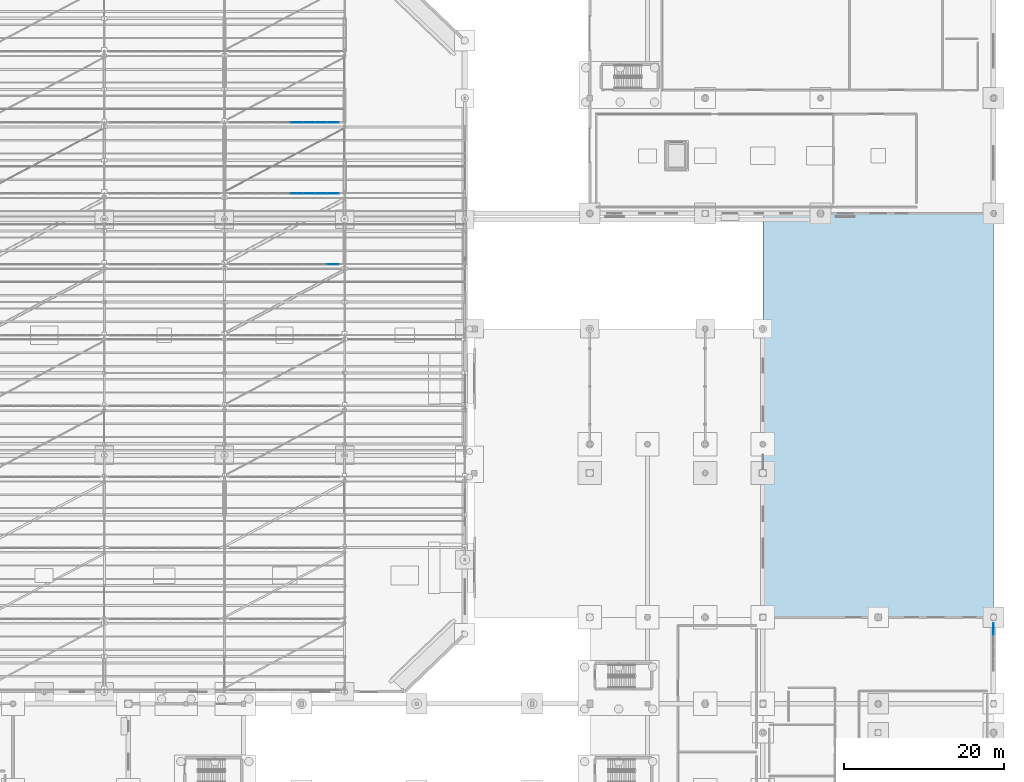
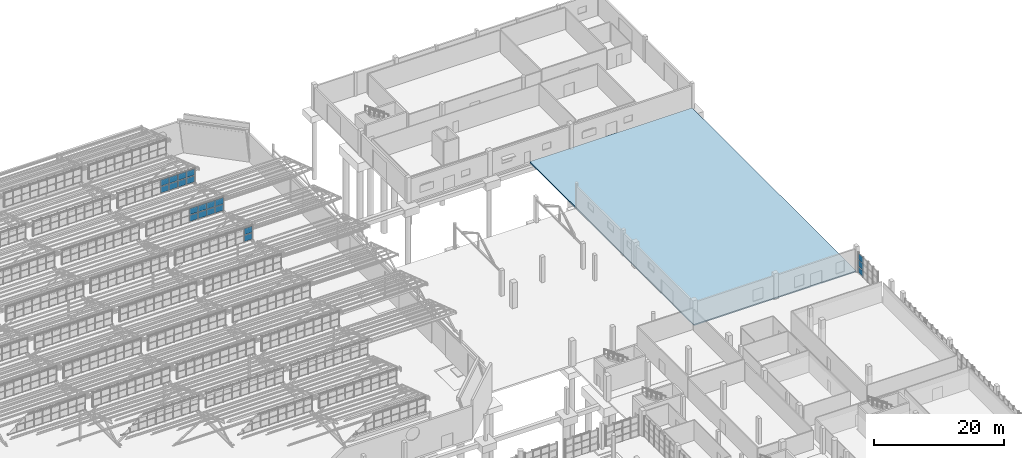
# One storey, part 186 of 285: 21 plates, 1 slab, 4 elements without a shape of their own.
"""IFC4 building model written with IfcOpenShell, lengths in metres."""

from ifc_helpers import new_model, si_unit, direction, frame, origin, origin_2d, place, context, subcontext, project, spatial, polyline, rectangle, outline, extrude, material, layer, layer_set, type_object, element, aggregate, save


model = new_model("IFC4")

# Units and contexts
model_context = context("Model", 3, precision=1e-05, world=origin(), true_north=direction((0.0, 1.0)))
body_context = subcontext(model_context, "Body", "Model", "MODEL_VIEW")
ifc_project = project(units=[si_unit("LENGTHUNIT", "METRE"), si_unit("AREAUNIT", "SQUARE_METRE"), si_unit("VOLUMEUNIT", "CUBIC_METRE"), si_unit("PLANEANGLEUNIT", "RADIAN"), si_unit("MASSUNIT", "GRAM", prefix="KILO")], contexts=[model_context])

# Site, building, storey
site_placement = place(None, origin())
site = spatial("IfcSite", under=ifc_project, at=site_placement, CompositionType="ELEMENT")
building_placement = place(site_placement, origin())
building = spatial("IfcBuilding", under=site, at=building_placement, Name="Solanera Park Tramway Depot", CompositionType="ELEMENT")
storey_placement = place(building_placement, origin())
storey = spatial("IfcBuildingStorey", under=building, at=storey_placement, Name="L00", CompositionType="ELEMENT", Elevation=0.0)

# Curtain wall, plates
ifc_material_1 = material(Name="Bronze-anodised thermally broken aluminium curtain wall", Category="aluminium")
curtain_wall_type_1 = type_object("IfcCurtainWallType", Name="Sawtooth Clerestory Monitor Curtain Wall", PredefinedType="NOTDEFINED", material=ifc_material_1)
curtain_wall_1_placement = place(storey_placement, origin())
curtain_wall_1 = element("IfcCurtainWall", 1, at=curtain_wall_1_placement, inside=storey, type_object=curtain_wall_type_1, Name="L00 Sawtooth Clerestory Monitor Curtain Wall #051", PredefinedType="NOTDEFINED")
ifc_material_2 = material(Name="Low-E laminated solar-control double glazing", Category="glass")
ifc_layer_1 = layer(ifc_material_2, 0.028076171875)
ifc_layer_set_1 = layer_set([ifc_layer_1], Name="Low-E laminated solar-control double glazing")
plate_type = type_object("IfcPlateType", Name="Curtain Wall Double Glazing Panel 28", PredefinedType="CURTAIN_PANEL", material=ifc_layer_set_1)
plate_1_placement = place(storey_placement, frame((133.572509765625, 108.85009765625, 7.862060546875), z_axis=(0.0, 0.0, 1.0), x_axis=(1.0, 0.0, 0.0)))
plate_1 = element("IfcPlate", 2, at=plate_1_placement, type_object=plate_type, Name="CW-L00-051 Glazing Panel R1.C9", PredefinedType="CURTAIN_PANEL", context=body_context, shape_type="SweptSolid", body=[
    extrude(rectangle(XDim=1.437744140625, YDim=0.028076171875, at=origin_2d()), origin(), (0.0, 0.0, 1.0), 1.16650390625),
])
plate_2_placement = place(storey_placement, frame((133.572509765625, 108.85009765625, 9.132568359375), z_axis=(0.0, 0.0, 1.0), x_axis=(1.0, 0.0, 0.0)))
plate_2 = element("IfcPlate", 3, at=plate_2_placement, type_object=plate_type, Name="CW-L00-051 Glazing Panel R2.C9", PredefinedType="CURTAIN_PANEL", context=body_context, shape_type="SweptSolid", body=[
    extrude(rectangle(XDim=1.437744140625, YDim=0.028076171875, at=origin_2d()), origin(), (0.0, 0.0, 1.0), 1.16650390625),
])
aggregate(curtain_wall_1, [plate_1, plate_2])

curtain_wall_2_placement = place(storey_placement, origin())
curtain_wall_2 = element("IfcCurtainWall", 4, at=curtain_wall_2_placement, inside=storey, type_object=curtain_wall_type_1, Name="L00 Sawtooth Clerestory Monitor Curtain Wall #059", PredefinedType="NOTDEFINED")
plate_3_placement = place(storey_placement, frame((129.022216796875, 117.699951171875, 7.862060546875), z_axis=(0.0, 0.0, 1.0), x_axis=(1.0, 0.0, 0.0)))
plate_3 = element("IfcPlate", 5, at=plate_3_placement, type_object=plate_type, Name="CW-L00-059 Glazing Panel R1.C6", PredefinedType="CURTAIN_PANEL", context=body_context, shape_type="SweptSolid", body=[
    extrude(rectangle(XDim=1.47021484375, YDim=0.028076171875, at=origin_2d()), origin(), (0.0, 0.0, 1.0), 1.16650390625),
])
plate_4_placement = place(storey_placement, frame((130.54443359375, 117.699951171875, 7.862060546875), z_axis=(0.0, 0.0, 1.0), x_axis=(1.0, 0.0, 0.0)))
plate_4 = element("IfcPlate", 6, at=plate_4_placement, type_object=plate_type, Name="CW-L00-059 Glazing Panel R1.C7", PredefinedType="CURTAIN_PANEL", context=body_context, shape_type="SweptSolid", body=[
    extrude(rectangle(XDim=1.47021484375, YDim=0.028076171875, at=origin_2d()), origin(), (0.0, 0.0, 1.0), 1.16650390625),
])
plate_5_placement = place(storey_placement, frame((132.066650390625, 117.699951171875, 7.862060546875), z_axis=(0.0, 0.0, 1.0), x_axis=(1.0, 0.0, 0.0)))
plate_5 = element("IfcPlate", 7, at=plate_5_placement, type_object=plate_type, Name="CW-L00-059 Glazing Panel R1.C8", PredefinedType="CURTAIN_PANEL", context=body_context, shape_type="SweptSolid", body=[
    extrude(rectangle(XDim=1.47021484375, YDim=0.028076171875, at=origin_2d()), origin(), (0.0, 0.0, 1.0), 1.16650390625),
])
plate_6_placement = place(storey_placement, frame((133.572509765625, 117.699951171875, 7.862060546875), z_axis=(0.0, 0.0, 1.0), x_axis=(1.0, 0.0, 0.0)))
plate_6 = element("IfcPlate", 8, at=plate_6_placement, type_object=plate_type, Name="CW-L00-059 Glazing Panel R1.C9", PredefinedType="CURTAIN_PANEL", context=body_context, shape_type="SweptSolid", body=[
    extrude(rectangle(XDim=1.437744140625, YDim=0.028076171875, at=origin_2d()), origin(), (0.0, 0.0, 1.0), 1.16650390625),
])
plate_7_placement = place(storey_placement, frame((129.022216796875, 117.699951171875, 9.132568359375), z_axis=(0.0, 0.0, 1.0), x_axis=(1.0, 0.0, 0.0)))
plate_7 = element("IfcPlate", 9, at=plate_7_placement, type_object=plate_type, Name="CW-L00-059 Glazing Panel R2.C6", PredefinedType="CURTAIN_PANEL", context=body_context, shape_type="SweptSolid", body=[
    extrude(rectangle(XDim=1.47021484375, YDim=0.028076171875, at=origin_2d()), origin(), (0.0, 0.0, 1.0), 1.16650390625),
])
plate_8_placement = place(storey_placement, frame((130.54443359375, 117.699951171875, 9.132568359375), z_axis=(0.0, 0.0, 1.0), x_axis=(1.0, 0.0, 0.0)))
plate_8 = element("IfcPlate", 10, at=plate_8_placement, type_object=plate_type, Name="CW-L00-059 Glazing Panel R2.C7", PredefinedType="CURTAIN_PANEL", context=body_context, shape_type="SweptSolid", body=[
    extrude(rectangle(XDim=1.47021484375, YDim=0.028076171875, at=origin_2d()), origin(), (0.0, 0.0, 1.0), 1.16650390625),
])
plate_9_placement = place(storey_placement, frame((132.066650390625, 117.699951171875, 9.132568359375), z_axis=(0.0, 0.0, 1.0), x_axis=(1.0, 0.0, 0.0)))
plate_9 = element("IfcPlate", 11, at=plate_9_placement, type_object=plate_type, Name="CW-L00-059 Glazing Panel R2.C8", PredefinedType="CURTAIN_PANEL", context=body_context, shape_type="SweptSolid", body=[
    extrude(rectangle(XDim=1.47021484375, YDim=0.028076171875, at=origin_2d()), origin(), (0.0, 0.0, 1.0), 1.16650390625),
])
plate_10_placement = place(storey_placement, frame((133.572509765625, 117.699951171875, 9.132568359375), z_axis=(0.0, 0.0, 1.0), x_axis=(1.0, 0.0, 0.0)))
plate_10 = element("IfcPlate", 12, at=plate_10_placement, type_object=plate_type, Name="CW-L00-059 Glazing Panel R2.C9", PredefinedType="CURTAIN_PANEL", context=body_context, shape_type="SweptSolid", body=[
    extrude(rectangle(XDim=1.437744140625, YDim=0.028076171875, at=origin_2d()), origin(), (0.0, 0.0, 1.0), 1.16650390625),
])
aggregate(curtain_wall_2, [plate_3, plate_4, plate_5, plate_6, plate_7, plate_8, plate_9, plate_10])

curtain_wall_3_placement = place(storey_placement, origin())
curtain_wall_3 = element("IfcCurtainWall", 13, at=curtain_wall_3_placement, inside=storey, type_object=curtain_wall_type_1, Name="L00 Sawtooth Clerestory Monitor Curtain Wall #065", PredefinedType="NOTDEFINED")
plate_11_placement = place(storey_placement, frame((129.022216796875, 126.550048828125, 7.862060546875), z_axis=(0.0, 0.0, 1.0), x_axis=(1.0, 0.0, 0.0)))
plate_11 = element("IfcPlate", 14, at=plate_11_placement, type_object=plate_type, Name="CW-L00-065 Glazing Panel R1.C6", PredefinedType="CURTAIN_PANEL", context=body_context, shape_type="SweptSolid", body=[
    extrude(rectangle(XDim=1.47021484375, YDim=0.028076171875, at=origin_2d()), origin(), (0.0, 0.0, 1.0), 1.16650390625),
])
plate_12_placement = place(storey_placement, frame((130.54443359375, 126.550048828125, 7.862060546875), z_axis=(0.0, 0.0, 1.0), x_axis=(1.0, 0.0, 0.0)))
plate_12 = element("IfcPlate", 15, at=plate_12_placement, type_object=plate_type, Name="CW-L00-065 Glazing Panel R1.C7", PredefinedType="CURTAIN_PANEL", context=body_context, shape_type="SweptSolid", body=[
    extrude(rectangle(XDim=1.47021484375, YDim=0.028076171875, at=origin_2d()), origin(), (0.0, 0.0, 1.0), 1.16650390625),
])
plate_13_placement = place(storey_placement, frame((132.066650390625, 126.550048828125, 7.862060546875), z_axis=(0.0, 0.0, 1.0), x_axis=(1.0, 0.0, 0.0)))
plate_13 = element("IfcPlate", 16, at=plate_13_placement, type_object=plate_type, Name="CW-L00-065 Glazing Panel R1.C8", PredefinedType="CURTAIN_PANEL", context=body_context, shape_type="SweptSolid", body=[
    extrude(rectangle(XDim=1.47021484375, YDim=0.028076171875, at=origin_2d()), origin(), (0.0, 0.0, 1.0), 1.16650390625),
])
plate_14_placement = place(storey_placement, frame((133.572509765625, 126.550048828125, 7.862060546875), z_axis=(0.0, 0.0, 1.0), x_axis=(1.0, 0.0, 0.0)))
plate_14 = element("IfcPlate", 17, at=plate_14_placement, type_object=plate_type, Name="CW-L00-065 Glazing Panel R1.C9", PredefinedType="CURTAIN_PANEL", context=body_context, shape_type="SweptSolid", body=[
    extrude(rectangle(XDim=1.437744140625, YDim=0.028076171875, at=origin_2d()), origin(), (0.0, 0.0, 1.0), 1.16650390625),
])
plate_15_placement = place(storey_placement, frame((129.022216796875, 126.550048828125, 9.132568359375), z_axis=(0.0, 0.0, 1.0), x_axis=(1.0, 0.0, 0.0)))
plate_15 = element("IfcPlate", 18, at=plate_15_placement, type_object=plate_type, Name="CW-L00-065 Glazing Panel R2.C6", PredefinedType="CURTAIN_PANEL", context=body_context, shape_type="SweptSolid", body=[
    extrude(rectangle(XDim=1.47021484375, YDim=0.028076171875, at=origin_2d()), origin(), (0.0, 0.0, 1.0), 1.16650390625),
])
plate_16_placement = place(storey_placement, frame((130.54443359375, 126.550048828125, 9.132568359375), z_axis=(0.0, 0.0, 1.0), x_axis=(1.0, 0.0, 0.0)))
plate_16 = element("IfcPlate", 19, at=plate_16_placement, type_object=plate_type, Name="CW-L00-065 Glazing Panel R2.C7", PredefinedType="CURTAIN_PANEL", context=body_context, shape_type="SweptSolid", body=[
    extrude(rectangle(XDim=1.47021484375, YDim=0.028076171875, at=origin_2d()), origin(), (0.0, 0.0, 1.0), 1.16650390625),
])
plate_17_placement = place(storey_placement, frame((132.066650390625, 126.550048828125, 9.132568359375), z_axis=(0.0, 0.0, 1.0), x_axis=(1.0, 0.0, 0.0)))
plate_17 = element("IfcPlate", 20, at=plate_17_placement, type_object=plate_type, Name="CW-L00-065 Glazing Panel R2.C8", PredefinedType="CURTAIN_PANEL", context=body_context, shape_type="SweptSolid", body=[
    extrude(rectangle(XDim=1.47021484375, YDim=0.028076171875, at=origin_2d()), origin(), (0.0, 0.0, 1.0), 1.16650390625),
])
plate_18_placement = place(storey_placement, frame((133.572509765625, 126.550048828125, 9.132568359375), z_axis=(0.0, 0.0, 1.0), x_axis=(1.0, 0.0, 0.0)))
plate_18 = element("IfcPlate", 21, at=plate_18_placement, type_object=plate_type, Name="CW-L00-065 Glazing Panel R2.C9", PredefinedType="CURTAIN_PANEL", context=body_context, shape_type="SweptSolid", body=[
    extrude(rectangle(XDim=1.437744140625, YDim=0.028076171875, at=origin_2d()), origin(), (0.0, 0.0, 1.0), 1.16650390625),
])
aggregate(curtain_wall_3, [plate_11, plate_12, plate_13, plate_14, plate_15, plate_16, plate_17, plate_18])

ifc_material_3 = material(Name="Bronze-anodised thermally broken aluminium curtain wall", Category="aluminium")
curtain_wall_type_2 = type_object("IfcCurtainWallType", Name="Parkfront Loggia Curtain Wall", PredefinedType="NOTDEFINED", material=ifc_material_3)
curtain_wall_4_placement = place(storey_placement, origin())
curtain_wall_4 = element("IfcCurtainWall", 22, at=curtain_wall_4_placement, inside=storey, type_object=curtain_wall_type_2, Name="L00 Parkfront Loggia Curtain Wall #132", PredefinedType="NOTDEFINED")
plate_19_placement = place(storey_placement, frame((216.0, 63.333740234375, 0.11181640625), z_axis=(0.0, 0.0, 1.0), x_axis=(0.0, 1.0, 0.0)))
plate_19 = element("IfcPlate", 23, at=plate_19_placement, type_object=plate_type, Name="CW-L00-132 Glazing Panel R1.C4", PredefinedType="CURTAIN_PANEL", context=body_context, shape_type="SweptSolid", body=[
    extrude(rectangle(XDim=1.41552734375, YDim=0.028076171875, at=origin_2d()), origin(), (0.0, 0.0, 1.0), 1.119384765625),
])
plate_20_placement = place(storey_placement, frame((216.0, 63.333740234375, 1.33544921875), z_axis=(0.0, 0.0, 1.0), x_axis=(0.0, 1.0, 0.0)))
plate_20 = element("IfcPlate", 24, at=plate_20_placement, type_object=plate_type, Name="CW-L00-132 Glazing Panel R2.C4", PredefinedType="CURTAIN_PANEL", context=body_context, shape_type="SweptSolid", body=[
    extrude(rectangle(XDim=1.41552734375, YDim=0.028076171875, at=origin_2d()), origin(), (0.0, 0.0, 1.0), 1.179443359375),
])
plate_21_placement = place(storey_placement, frame((216.0, 63.333740234375, 2.61865234375), z_axis=(0.0, 0.0, 1.0), x_axis=(0.0, 1.0, 0.0)))
plate_21 = element("IfcPlate", 25, at=plate_21_placement, type_object=plate_type, Name="CW-L00-132 Glazing Panel R3.C4", PredefinedType="CURTAIN_PANEL", context=body_context, shape_type="SweptSolid", body=[
    extrude(rectangle(XDim=1.41552734375, YDim=0.028076171875, at=origin_2d()), origin(), (0.0, 0.0, 1.0), 1.119384765625),
])
aggregate(curtain_wall_4, [plate_19, plate_20, plate_21])

# Slab
ifc_material_4 = material(Name="Concrete N40 (C40/50)", Category="concrete")
ifc_layer_2 = layer(ifc_material_4, 0.239990234375)
ifc_layer_set_2 = layer_set([ifc_layer_2], Name="Concrete N40 (C40/50)")
slab_type = type_object("IfcSlabType", Name="Slab Ext 240", PredefinedType="FLOOR", material=ifc_layer_set_2)
slab_placement = place(storey_placement, frame((0.0, 0.0, -0.239990234375)))
element("IfcSlab", 26, at=slab_placement, inside=storey, type_object=slab_type, Name="Eastern Tram Turnout and Car Park Driveway Apron", PredefinedType="FLOOR", context=body_context, shape_type="SweptSolid", body=[
    extrude(outline(polyline([(216.0, 64.800048828125), (216.0, 115.199951171875), (187.199951171875, 115.199951171875), (187.199951171875, 64.800048828125), (216.0, 64.800048828125)])), origin(), (0.0, 0.0, 1.0), 0.239990234375),
])

save(model, "model.ifc")
